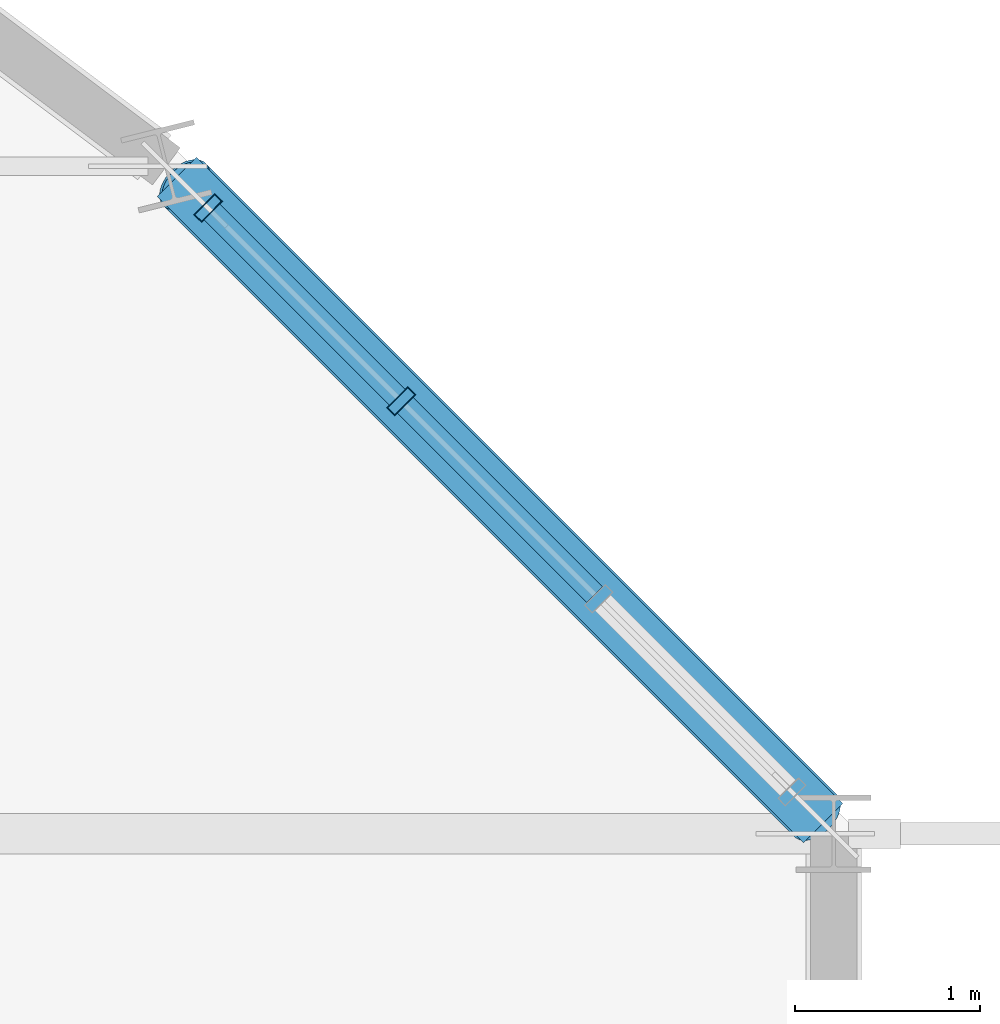
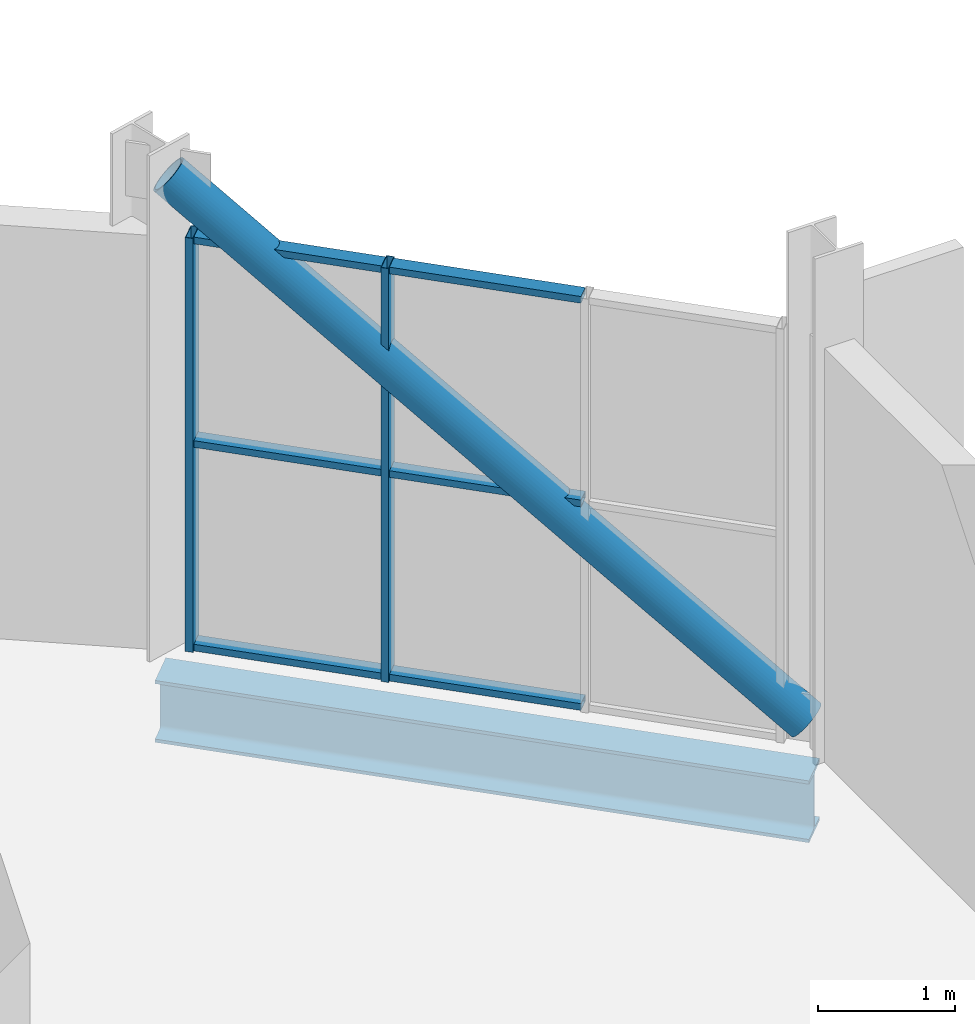
# One storey, part 13 of 22: 9 members, 1 beam, 1 element without a shape of its own.
"""IFC4 building model written with IfcOpenShell, lengths in metres."""

from ifc_helpers import new_model, si_unit, direction, frame, origin, origin_2d, place, context, subcontext, project, spatial, hollow_rectangle, hollow_circle, i_section, extrude, material, layer, layer_set, material_profile, profile_set, type_object, element, aggregate, save


model = new_model("IFC4")

# Units and contexts
model_context = context("Model", 3, precision=1e-05, world=origin(), true_north=direction((0.0, 1.0)))
body_context = subcontext(model_context, "Body", "Model", "MODEL_VIEW")
ifc_project = project(units=[si_unit("LENGTHUNIT", "METRE"), si_unit("AREAUNIT", "SQUARE_METRE"), si_unit("VOLUMEUNIT", "CUBIC_METRE"), si_unit("PLANEANGLEUNIT", "RADIAN"), si_unit("MASSUNIT", "GRAM", prefix="KILO")], contexts=[model_context])

# Site, building, storey
site_placement = place(None, origin())
site = spatial("IfcSite", under=ifc_project, at=site_placement, CompositionType="ELEMENT")
building_placement = place(site_placement, origin())
building = spatial("IfcBuilding", under=site, at=building_placement, Name="Solnavia Interchange Tower", CompositionType="ELEMENT")
storey_placement = place(building_placement, frame((0.0, 0.0, 308.699951171875)))
storey = spatial("IfcBuildingStorey", under=building, at=storey_placement, Name="C02", CompositionType="ELEMENT", Elevation=308.699951171875)

# Curtain wall, members
ifc_material_1 = material(Name="Aluminium Alloy 6063-T6", Category="aluminium")
ifc_layer = layer(ifc_material_1, 0.179931640625)
ifc_layer_set = layer_set([ifc_layer], Name="Aluminium Alloy 6063-T6")
curtain_wall_type = type_object("IfcCurtainWallType", Name="CurtainWall-Crown-CTW6", PredefinedType="NOTDEFINED", material=ifc_layer_set)
curtain_wall_placement = place(storey_placement, origin())
curtain_wall = element("IfcCurtainWall", 1, at=curtain_wall_placement, inside=storey, type_object=curtain_wall_type, Name="CTW-C02-R01 CTW-6 curtain wall", PredefinedType="NOTDEFINED")
ifc_material_profile_1 = material_profile(ifc_material_1, hollow_rectangle(XDim=0.06005859375, YDim=0.159912109375, WallThickness=0.00390625, at=origin_2d()), Name="ALU 160x60x4")
ifc_profile_set_1 = profile_set([ifc_material_profile_1], Name="Aluminium Alloy 6063-T6")
member_type_1 = type_object("IfcMemberType", Name="CW-Mullion-CWM-6", PredefinedType="MULLION", material=ifc_profile_set_1)
member_1_placement = place(storey_placement, frame((40.867919921875, 23.931884765625, 0.0), z_axis=(0.0, 0.0, 1.0), x_axis=(-0.707106781187, 0.707106781187, 0.0)))
member_1 = element("IfcMember", 2, at=member_1_placement, type_object=member_type_1, Name="CTW-6 mullion 3", PredefinedType="MULLION", context=body_context, shape_type="SweptSolid", body=[
    extrude(hollow_rectangle(XDim=0.06005859375, YDim=0.159912109375, WallThickness=0.00390625, at=origin_2d()), origin(), (0.0, 0.0, 1.0), 3.679931640625),
])
member_2_placement = place(storey_placement, frame((39.8251953125, 24.974853515625, 0.0), z_axis=(0.0, 0.0, 1.0), x_axis=(-0.707106781187, 0.707106781187, 0.0)))
member_2 = element("IfcMember", 3, at=member_2_placement, type_object=member_type_1, Name="CTW-6 mullion 4", PredefinedType="MULLION", context=body_context, shape_type="SweptSolid", body=[
    extrude(hollow_rectangle(XDim=0.06005859375, YDim=0.159912109375, WallThickness=0.00390625, at=origin_2d()), origin(), (0.0, 0.0, 1.0), 3.679931640625),
])
ifc_material_profile_2 = material_profile(ifc_material_1, hollow_rectangle(XDim=0.06005859375, YDim=0.1201171875, WallThickness=0.00390625, at=origin_2d()), Name="ALU 120x60x4")
ifc_profile_set_2 = profile_set([ifc_material_profile_2], Name="Aluminium Alloy 6063-T6")
member_type_2 = type_object("IfcMemberType", Name="CW-Transom-CWT-6", PredefinedType="USERDEFINED", material=ifc_profile_set_2)
member_3_placement = place(storey_placement, frame((41.910888671875, 22.88916015625, 0.030029296875), z_axis=(-0.707106781187, 0.707106781187, 0.0), x_axis=(0.0, 0.0, 1.0)))
member_3 = element("IfcMember", 4, at=member_3_placement, type_object=member_type_2, Name="CTW-6 transom 2.1", ObjectType="TRANSOM", PredefinedType="USERDEFINED", context=body_context, shape_type="SweptSolid", body=[
    extrude(hollow_rectangle(XDim=0.06005859375, YDim=0.1201171875, WallThickness=0.00390625, at=origin_2d()), origin(), (0.0, 0.0, 1.0), 1.44482421875),
])
member_4_placement = place(storey_placement, frame((41.910888671875, 22.88916015625, 1.840087890625), z_axis=(-0.707106781187, 0.707106781187, 0.0), x_axis=(0.0, 0.0, 1.0)))
member_4 = element("IfcMember", 5, at=member_4_placement, type_object=member_type_2, Name="CTW-6 transom 2.2", ObjectType="TRANSOM", PredefinedType="USERDEFINED", context=body_context, shape_type="SweptSolid", body=[
    extrude(hollow_rectangle(XDim=0.06005859375, YDim=0.1201171875, WallThickness=0.00390625, at=origin_2d()), origin(), (0.0, 0.0, 1.0), 1.44482421875),
])
member_5_placement = place(storey_placement, frame((41.910888671875, 22.88916015625, 3.650146484375), z_axis=(-0.707106781187, 0.707106781187, 0.0), x_axis=(0.0, 0.0, 1.0)))
member_5 = element("IfcMember", 6, at=member_5_placement, type_object=member_type_2, Name="CTW-6 transom 2.3", ObjectType="TRANSOM", PredefinedType="USERDEFINED", context=body_context, shape_type="SweptSolid", body=[
    extrude(hollow_rectangle(XDim=0.06005859375, YDim=0.1201171875, WallThickness=0.00390625, at=origin_2d()), origin(), (0.0, 0.0, 1.0), 1.44482421875),
])
member_6_placement = place(storey_placement, frame((40.8466796875, 23.953125, 0.030029296875), z_axis=(-0.707020490776, 0.707193061069, 0.0), x_axis=(0.0, 0.0, 1.0)))
member_6 = element("IfcMember", 7, at=member_6_placement, type_object=member_type_2, Name="CTW-6 transom 3.1", ObjectType="TRANSOM", PredefinedType="USERDEFINED", context=body_context, shape_type="SweptSolid", body=[
    extrude(hollow_rectangle(XDim=0.06005859375, YDim=0.1201171875, WallThickness=0.00390625, at=origin_2d()), origin(), (0.0, 0.0, 1.0), 1.414794921875),
])
member_7_placement = place(storey_placement, frame((40.8466796875, 23.953125, 1.840087890625), z_axis=(-0.707020490776, 0.707193061069, 0.0), x_axis=(0.0, 0.0, 1.0)))
member_7 = element("IfcMember", 8, at=member_7_placement, type_object=member_type_2, Name="CTW-6 transom 3.2", ObjectType="TRANSOM", PredefinedType="USERDEFINED", context=body_context, shape_type="SweptSolid", body=[
    extrude(hollow_rectangle(XDim=0.06005859375, YDim=0.1201171875, WallThickness=0.00390625, at=origin_2d()), origin(), (0.0, 0.0, 1.0), 1.414794921875),
])
member_8_placement = place(storey_placement, frame((40.8466796875, 23.953125, 3.650146484375), z_axis=(-0.707020490776, 0.707193061069, 0.0), x_axis=(0.0, 0.0, 1.0)))
member_8 = element("IfcMember", 9, at=member_8_placement, type_object=member_type_2, Name="CTW-6 transom 3.3", ObjectType="TRANSOM", PredefinedType="USERDEFINED", context=body_context, shape_type="SweptSolid", body=[
    extrude(hollow_rectangle(XDim=0.06005859375, YDim=0.1201171875, WallThickness=0.00390625, at=origin_2d()), origin(), (0.0, 0.0, 1.0), 1.414794921875),
])
aggregate(curtain_wall, [member_1, member_2, member_3, member_4, member_5, member_6, member_7, member_8])

# Member
ifc_material_2 = material(Name="Steel S355", Category="steel")
ifc_material_profile_3 = material_profile(ifc_material_2, hollow_circle(Radius=0.161865234375, WallThickness=0.01611328125, at=origin_2d()), Name="CHS 323.9x16")
ifc_profile_set_3 = profile_set([ifc_material_profile_3], Name="Steel S355")
member_type_3 = type_object("IfcMemberType", Name="CrownFrame-Brace-CHS323", PredefinedType="BRACE", material=ifc_profile_set_3)
member_9_placement = place(storey_placement, frame((43.10107421875, 21.698974609375, 0.179931640625), z_axis=(-0.54483653527, 0.54483653527, 0.637421602764), x_axis=(-0.707106781187, -0.707106781187, 0.0)))
element("IfcMember", 10, at=member_9_placement, inside=storey, type_object=member_type_3, Name="BRC-C02-CF01 CROWN FRAME ring brace", PredefinedType="BRACE", context=body_context, shape_type="SweptSolid", body=[
    extrude(hollow_circle(Radius=0.161865234375, WallThickness=0.01611328125, at=origin_2d()), origin(), (0.0, 0.0, 1.0), 6.244140625),
])

# Beam
ifc_material_3 = material(Name="Steel S460", Category="steel")
ifc_material_profile_4 = material_profile(ifc_material_3, i_section(OverallWidth=0.300048828125, OverallDepth=0.550048828125, WebThickness=0.014892578125, FlangeThickness=0.029052734375, FilletRadius=0.027099609375, at=origin_2d()), Name="HEB 550")
ifc_profile_set_4 = profile_set([ifc_material_profile_4], Name="Steel S460")
beam_type = type_object("IfcBeamType", Name="CrownFrame-Ring-HEB550", PredefinedType="BEAM", material=ifc_profile_set_4)
beam_placement = place(storey_placement, frame((43.143310546875, 21.656494140625, -0.52490234375), z_axis=(-0.707106781187, 0.707106781187, 0.0), x_axis=(-0.707106781187, -0.707106781187, 0.0)))
element("IfcBeam", 11, at=beam_placement, inside=storey, type_object=beam_type, Name="GRD-C02-CR01 CROWN FRAME outer collar ring beam", PredefinedType="BEAM", context=body_context, shape_type="SweptSolid", body=[
    extrude(i_section(OverallWidth=0.300048828125, OverallDepth=0.550048828125, WebThickness=0.014892578125, FlangeThickness=0.029052734375, FilletRadius=0.027099609375, at=origin_2d()), origin(), (0.0, 0.0, 1.0), 4.93115234375),
])

save(model, "model.ifc")
